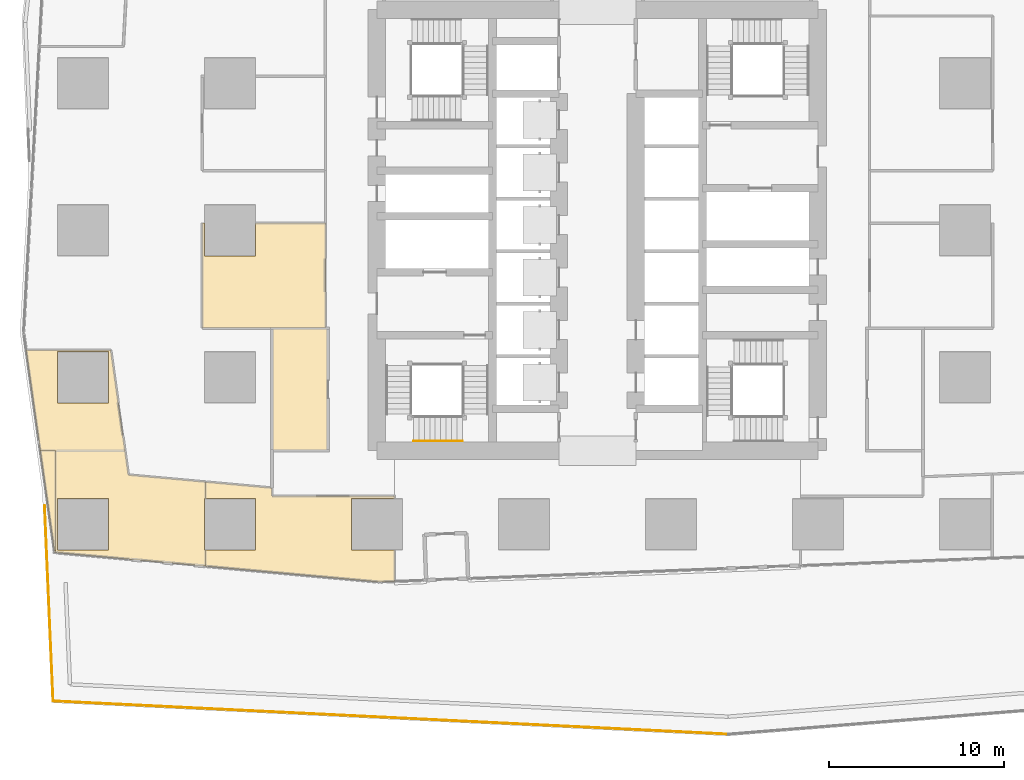
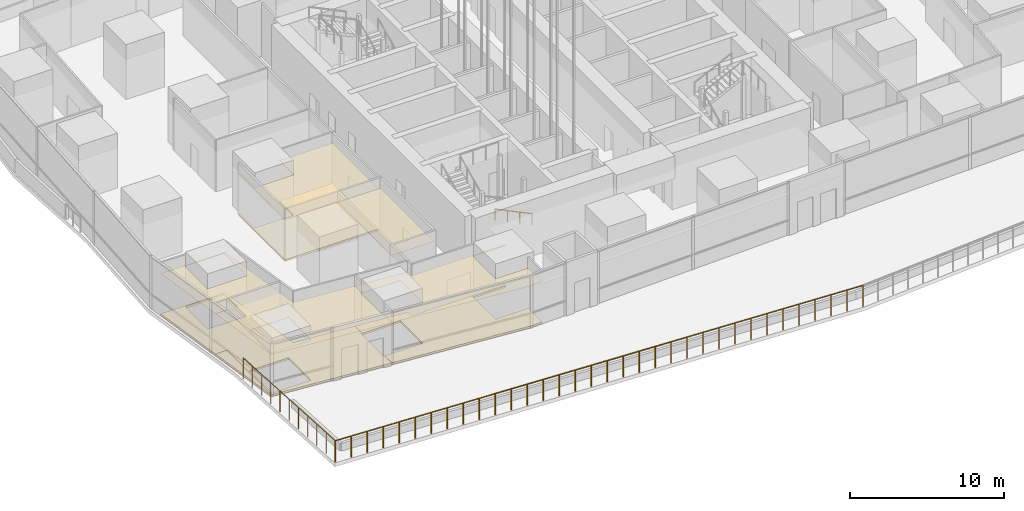
# One storey, part 23 of 44: 9 coverings, 3 railings.
"""IFC4 building model written with IfcOpenShell, lengths in metres."""

from ifc_helpers import new_model, si_unit, direction, frame, origin, origin_2d, place, context, subcontext, project, spatial, polyline, circle, outline, extrude, material, layer, layer_set, type_object, element, save


model = new_model("IFC4")

# Units and contexts
model_context = context("Model", 3, precision=1e-05, world=origin(), true_north=direction((0.0, 1.0)))
body_context = subcontext(model_context, "Body", "Model", "MODEL_VIEW")
ifc_project = project(units=[si_unit("LENGTHUNIT", "METRE"), si_unit("AREAUNIT", "SQUARE_METRE"), si_unit("VOLUMEUNIT", "CUBIC_METRE"), si_unit("PLANEANGLEUNIT", "RADIAN"), si_unit("MASSUNIT", "GRAM", prefix="KILO")], contexts=[model_context])

# Site, building, storey
site_placement = place(None, origin())
site = spatial("IfcSite", under=ifc_project, at=site_placement, CompositionType="ELEMENT")
building_placement = place(site_placement, origin())
building = spatial("IfcBuilding", under=site, at=building_placement, Name="Rekha Terrace Tower", CompositionType="ELEMENT")
storey_placement = place(building_placement, frame((0.0, 0.0, 90.800048828125)))
storey = spatial("IfcBuildingStorey", under=building, at=storey_placement, Name="L22", CompositionType="ELEMENT", Elevation=90.800048828125)

# Coverings
ifc_material_1 = material(Name="Mineral fibre tile in exposed grid", Category="finish")
ifc_layer_1 = layer(ifc_material_1, 0.02001953125)
ifc_layer_set_1 = layer_set([ifc_layer_1], Name="Mineral fibre tile in exposed grid")
covering_type_1 = type_object("IfcCoveringType", Name="CL1 600x1200 office grid ceiling", PredefinedType="CEILING", material=ifc_layer_set_1)
covering_1_placement = place(storey_placement, frame((0.0, 0.0, 3.329833984375)))
element("IfcCovering", 1, at=covering_1_placement, inside=storey, type_object=covering_type_1, Name="Ceiling L22-13", PredefinedType="CEILING", context=body_context, shape_type="SweptSolid", body=[
    extrude(outline(polyline([(10.998046875, 19.62109375), (10.802001953125, 21.010009765625), (9.990966796875, 26.761962890625), (5.14404296875, 26.761962890625), (5.955078125, 21.010009765625), (6.821044921875, 21.010009765625), (6.821044921875, 15.180908203125), (15.39794921875, 14.402099609375), (15.39794921875, 15.3349609375), (15.3349609375, 15.3349609375), (15.3349609375, 18.264892578125), (15.39794921875, 18.264892578125), (15.39794921875, 19.221923828125), (10.998046875, 19.62109375)]), holes=[polyline([(9.864990234375, 15.3349609375), (6.93505859375, 15.3349609375), (6.93505859375, 18.264892578125), (9.864990234375, 18.264892578125), (9.864990234375, 15.3349609375)]), polyline([(9.864990234375, 23.735107421875), (6.93505859375, 23.735107421875), (6.93505859375, 26.6650390625), (9.864990234375, 26.6650390625), (9.864990234375, 23.735107421875)])]), origin(), (0.0, 0.0, 1.0), 0.02001953125),
])
covering_2_placement = place(storey_placement, frame((0.0, 0.0, 3.329833984375)))
element("IfcCovering", 2, at=covering_2_placement, inside=storey, type_object=covering_type_1, Name="Ceiling L22-14", PredefinedType="CEILING", context=body_context, shape_type="SweptSolid", body=[
    extrude(outline(polyline([(15.39892578125, 14.402099609375), (25.324951171875, 13.5), (26.199951171875, 13.533935546875), (26.199951171875, 15.3349609375), (23.735107421875, 15.3349609375), (23.735107421875, 18.264892578125), (26.199951171875, 18.264892578125), (26.199951171875, 18.39990234375), (19.199951171875, 18.39990234375), (19.199951171875, 18.8759765625), (15.39892578125, 19.220947265625), (15.39892578125, 18.264892578125), (18.264892578125, 18.264892578125), (18.264892578125, 15.3349609375), (15.39892578125, 15.3349609375), (15.39892578125, 14.402099609375)])), origin(), (0.0, 0.0, 1.0), 0.02001953125),
])
covering_3_placement = place(storey_placement, frame((0.0, 0.0, 3.329833984375)))
element("IfcCovering", 3, at=covering_3_placement, inside=storey, type_object=covering_type_1, Name="Ceiling L22-15", PredefinedType="CEILING", context=body_context, shape_type="SweptSolid", body=[
    extrude(outline(polyline([(15.3349609375, 34.0), (15.215087890625, 34.0), (15.215087890625, 28.0), (22.25, 28.0), (22.25, 34.0), (18.264892578125, 34.0), (18.264892578125, 32.135009765625), (15.3349609375, 32.135009765625), (15.3349609375, 34.0)])), origin(), (0.0, 0.0, 1.0), 0.02001953125),
])
covering_4_placement = place(storey_placement, frame((0.0, 0.0, 3.329833984375)))
element("IfcCovering", 4, at=covering_4_placement, inside=storey, type_object=covering_type_1, Name="Ceiling L22-O2", PredefinedType="CEILING", context=body_context, shape_type="SweptSolid", body=[
    extrude(outline(polyline([(6.821044921875, 15.180908203125), (6.821044921875, 21.010009765625), (5.955078125, 21.010009765625), (6.77587890625, 15.18505859375), (6.821044921875, 15.180908203125)])), origin(), (0.0, 0.0, 1.0), 0.02001953125),
])
ifc_material_2 = material(Name="Fibre cement board", Category="finish")
ifc_layer_2 = layer(ifc_material_2, 0.014892578125)
ifc_layer_set_2 = layer_set([ifc_layer_2], Name="Fibre cement board")
covering_type_2 = type_object("IfcCoveringType", Name="CL2 moisture-resistant board ceiling", PredefinedType="CEILING", material=ifc_layer_set_2)
covering_5_placement = place(storey_placement, frame((0.0, 0.0, 3.3349609375)))
element("IfcCovering", 5, at=covering_5_placement, inside=storey, type_object=covering_type_2, Name="Ceiling L22-WCM", PredefinedType="CEILING", context=body_context, shape_type="SweptSolid", body=[
    extrude(outline(polyline([(22.39990234375, 28.0), (19.199951171875, 28.0), (19.199951171875, 21.0), (22.39990234375, 21.0), (22.39990234375, 28.0)])), origin(), (0.0, 0.0, 1.0), 0.014892578125),
])

# Railings
ifc_material_3 = material(Name="Stainless steel posts and laminated glass infill", Category="steel")
railing_type_1 = type_object("IfcRailingType", Name="GR4 terrace glass guard 1700", PredefinedType="GUARDRAIL", material=ifc_material_3)
railing_1_placement = place(storey_placement, frame((6.208251953125, 17.85107421875, 0.0)))
element("IfcRailing", 6, at=railing_1_placement, inside=storey, type_object=railing_type_1, Name="Terrace guard", PredefinedType="GUARDRAIL", context=body_context, shape_type="SweptSolid", body=[
    extrude(circle(Radius=0.02392578125, at=origin_2d()), frame((0.0, 0.0, 1.67578125), z_axis=(0.043683912848, -0.999045402251, 0.0), x_axis=(0.999045402251, 0.043683912848, 0.0)), (0.0, 0.0, 1.0), 11.16650390625),
    extrude(circle(Radius=0.02099609375, at=origin_2d()), origin(), (0.0, 0.0, 1.0), 1.65185546875),
    extrude(circle(Radius=0.02099609375, at=origin_2d()), frame((0.048828125, -1.115478515625, 0.0)), (0.0, 0.0, 1.0), 1.65185546875),
    extrude(circle(Radius=0.02099609375, at=origin_2d()), frame((0.09765625, -2.231201171875, 0.0)), (0.0, 0.0, 1.0), 1.65185546875),
    extrude(circle(Radius=0.02099609375, at=origin_2d()), frame((0.146240234375, -3.3466796875, 0.0)), (0.0, 0.0, 1.0), 1.65185546875),
    extrude(circle(Radius=0.02099609375, at=origin_2d()), frame((0.195068359375, -4.46240234375, 0.0)), (0.0, 0.0, 1.0), 1.65185546875),
    extrude(circle(Radius=0.02099609375, at=origin_2d()), frame((0.243896484375, -5.577880859375, 0.0)), (0.0, 0.0, 1.0), 1.65185546875),
    extrude(circle(Radius=0.02099609375, at=origin_2d()), frame((0.292724609375, -6.693359375, 0.0)), (0.0, 0.0, 1.0), 1.65185546875),
    extrude(circle(Radius=0.02099609375, at=origin_2d()), frame((0.341552734375, -7.80908203125, 0.0)), (0.0, 0.0, 1.0), 1.65185546875),
    extrude(circle(Radius=0.02099609375, at=origin_2d()), frame((0.39013671875, -8.924560546875, 0.0)), (0.0, 0.0, 1.0), 1.65185546875),
    extrude(circle(Radius=0.02099609375, at=origin_2d()), frame((0.43896484375, -10.040283203125, 0.0)), (0.0, 0.0, 1.0), 1.65185546875),
    extrude(circle(Radius=0.02099609375, at=origin_2d()), frame((0.48779296875, -11.15576171875, 0.0)), (0.0, 0.0, 1.0), 1.65185546875),
])
railing_2_placement = place(storey_placement, frame((6.696044921875, 6.6953125, 0.0)))
element("IfcRailing", 7, at=railing_2_placement, inside=storey, type_object=railing_type_1, Name="Terrace guard", PredefinedType="GUARDRAIL", context=body_context, shape_type="SweptSolid", body=[
    extrude(circle(Radius=0.02392578125, at=origin_2d()), frame((0.0, 0.0, 1.67578125), z_axis=(0.99879647317, -0.049046969144, 0.0), x_axis=(0.049046969144, 0.99879647317, 0.0)), (0.0, 0.0, 1.0), 38.63671875),
    extrude(circle(Radius=0.02099609375, at=origin_2d()), origin(), (0.0, 0.0, 1.0), 1.65185546875),
    extrude(circle(Radius=0.02099609375, at=origin_2d()), frame((1.16943359375, -0.057373046875, 0.0)), (0.0, 0.0, 1.0), 1.65185546875),
    extrude(circle(Radius=0.02099609375, at=origin_2d()), frame((2.3388671875, -0.11474609375, 0.0)), (0.0, 0.0, 1.0), 1.65185546875),
    extrude(circle(Radius=0.02099609375, at=origin_2d()), frame((3.50830078125, -0.17236328125, 0.0)), (0.0, 0.0, 1.0), 1.65185546875),
    extrude(circle(Radius=0.02099609375, at=origin_2d()), frame((4.677734375, -0.229736328125, 0.0)), (0.0, 0.0, 1.0), 1.65185546875),
    extrude(circle(Radius=0.02099609375, at=origin_2d()), frame((5.846923828125, -0.287109375, 0.0)), (0.0, 0.0, 1.0), 1.65185546875),
    extrude(circle(Radius=0.02099609375, at=origin_2d()), frame((7.016357421875, -0.344482421875, 0.0)), (0.0, 0.0, 1.0), 1.65185546875),
    extrude(circle(Radius=0.02099609375, at=origin_2d()), frame((8.185791015625, -0.40185546875, 0.0)), (0.0, 0.0, 1.0), 1.65185546875),
    extrude(circle(Radius=0.02099609375, at=origin_2d()), frame((9.355224609375, -0.45947265625, 0.0)), (0.0, 0.0, 1.0), 1.65185546875),
    extrude(circle(Radius=0.02099609375, at=origin_2d()), frame((10.524658203125, -0.516845703125, 0.0)), (0.0, 0.0, 1.0), 1.65185546875),
    extrude(circle(Radius=0.02099609375, at=origin_2d()), frame((11.694091796875, -0.57421875, 0.0)), (0.0, 0.0, 1.0), 1.65185546875),
    extrude(circle(Radius=0.02099609375, at=origin_2d()), frame((12.863525390625, -0.631591796875, 0.0)), (0.0, 0.0, 1.0), 1.65185546875),
    extrude(circle(Radius=0.02099609375, at=origin_2d()), frame((14.032958984375, -0.689208984375, 0.0)), (0.0, 0.0, 1.0), 1.65185546875),
    extrude(circle(Radius=0.02099609375, at=origin_2d()), frame((15.2021484375, -0.74658203125, 0.0)), (0.0, 0.0, 1.0), 1.65185546875),
    extrude(circle(Radius=0.02099609375, at=origin_2d()), frame((16.37158203125, -0.803955078125, 0.0)), (0.0, 0.0, 1.0), 1.65185546875),
    extrude(circle(Radius=0.02099609375, at=origin_2d()), frame((17.541015625, -0.861328125, 0.0)), (0.0, 0.0, 1.0), 1.65185546875),
    extrude(circle(Radius=0.02099609375, at=origin_2d()), frame((18.71044921875, -0.918701171875, 0.0)), (0.0, 0.0, 1.0), 1.65185546875),
    extrude(circle(Radius=0.02099609375, at=origin_2d()), frame((19.8798828125, -0.976318359375, 0.0)), (0.0, 0.0, 1.0), 1.65185546875),
    extrude(circle(Radius=0.02099609375, at=origin_2d()), frame((21.04931640625, -1.03369140625, 0.0)), (0.0, 0.0, 1.0), 1.65185546875),
    extrude(circle(Radius=0.02099609375, at=origin_2d()), frame((22.21875, -1.091064453125, 0.0)), (0.0, 0.0, 1.0), 1.65185546875),
    extrude(circle(Radius=0.02099609375, at=origin_2d()), frame((23.38818359375, -1.1484375, 0.0)), (0.0, 0.0, 1.0), 1.65185546875),
    extrude(circle(Radius=0.02099609375, at=origin_2d()), frame((24.557373046875, -1.205810546875, 0.0)), (0.0, 0.0, 1.0), 1.65185546875),
    extrude(circle(Radius=0.02099609375, at=origin_2d()), frame((25.726806640625, -1.263427734375, 0.0)), (0.0, 0.0, 1.0), 1.65185546875),
    extrude(circle(Radius=0.02099609375, at=origin_2d()), frame((26.896240234375, -1.32080078125, 0.0)), (0.0, 0.0, 1.0), 1.65185546875),
    extrude(circle(Radius=0.02099609375, at=origin_2d()), frame((28.065673828125, -1.378173828125, 0.0)), (0.0, 0.0, 1.0), 1.65185546875),
    extrude(circle(Radius=0.02099609375, at=origin_2d()), frame((29.235107421875, -1.435546875, 0.0)), (0.0, 0.0, 1.0), 1.65185546875),
    extrude(circle(Radius=0.02099609375, at=origin_2d()), frame((30.404541015625, -1.4931640625, 0.0)), (0.0, 0.0, 1.0), 1.65185546875),
    extrude(circle(Radius=0.02099609375, at=origin_2d()), frame((31.573974609375, -1.550537109375, 0.0)), (0.0, 0.0, 1.0), 1.65185546875),
    extrude(circle(Radius=0.02099609375, at=origin_2d()), frame((32.743408203125, -1.60791015625, 0.0)), (0.0, 0.0, 1.0), 1.65185546875),
    extrude(circle(Radius=0.02099609375, at=origin_2d()), frame((33.91259765625, -1.665283203125, 0.0)), (0.0, 0.0, 1.0), 1.65185546875),
    extrude(circle(Radius=0.02099609375, at=origin_2d()), frame((35.08203125, -1.72265625, 0.0)), (0.0, 0.0, 1.0), 1.65185546875),
    extrude(circle(Radius=0.02099609375, at=origin_2d()), frame((36.25146484375, -1.7802734375, 0.0)), (0.0, 0.0, 1.0), 1.65185546875),
    extrude(circle(Radius=0.02099609375, at=origin_2d()), frame((37.4208984375, -1.837646484375, 0.0)), (0.0, 0.0, 1.0), 1.65185546875),
    extrude(circle(Radius=0.02099609375, at=origin_2d()), frame((38.59033203125, -1.89501953125, 0.0)), (0.0, 0.0, 1.0), 1.65185546875),
])
ifc_material_4 = material(Name="Stainless steel tube", Category="steel")
railing_type_2 = type_object("IfcRailingType", Name="HR1 900 stair handrail", PredefinedType="HANDRAIL", material=ifc_material_4)
railing_3_placement = place(storey_placement, frame((30.074951171875, 21.56005859375, 1.64990234375)))
element("IfcRailing", 8, at=railing_3_placement, inside=storey, type_object=railing_type_2, Name="Handrail ST1 L22 flight 2", PredefinedType="HANDRAIL", context=body_context, shape_type="SweptSolid", body=[
    extrude(circle(Radius=0.02392578125, at=origin_2d()), frame((0.0, 0.0, 0.8759765625), z_axis=(-0.90014928908, 0.0, 0.43558151633), x_axis=(0.0, -1.0, 0.0)), (0.0, 0.0, 1.0), 3.099609375),
    extrude(circle(Radius=0.02099609375, at=origin_2d()), origin(), (0.0, 0.0, 1.0), 0.851806640625),
    extrude(circle(Radius=0.02099609375, at=origin_2d()), frame((-0.929931640625, 0.0, 0.449951171875)), (0.0, 0.0, 1.0), 0.851806640625),
    extrude(circle(Radius=0.02099609375, at=origin_2d()), frame((-1.860107421875, 0.0, 0.900146484375)), (0.0, 0.0, 1.0), 0.851806640625),
    extrude(circle(Radius=0.02099609375, at=origin_2d()), frame((-2.7900390625, 0.0, 1.35009765625)), (0.0, 0.0, 1.0), 0.851806640625),
])

# Coverings
ifc_material_5 = material(Name="Calcium sulphate panels on steel pedestals", Category="steel")
ifc_layer_3 = layer(ifc_material_5, 0.14990234375)
ifc_layer_set_3 = layer_set([ifc_layer_3], Name="Calcium sulphate panels on steel pedestals")
covering_type_3 = type_object("IfcCoveringType", Name="RF1 150 raised access floor", PredefinedType="FLOORING", material=ifc_layer_set_3)
covering_6_placement = place(storey_placement, origin())
element("IfcCovering", 9, at=covering_6_placement, inside=storey, type_object=covering_type_3, Name="Raised floor L22-13", PredefinedType="FLOORING", context=body_context, shape_type="SweptSolid", body=[
    extrude(outline(polyline([(10.998046875, 19.62109375), (10.802001953125, 21.010009765625), (9.990966796875, 26.761962890625), (5.14404296875, 26.761962890625), (5.955078125, 21.010009765625), (6.821044921875, 21.010009765625), (6.821044921875, 15.180908203125), (15.39794921875, 14.402099609375), (15.39794921875, 15.3349609375), (15.3349609375, 15.3349609375), (15.3349609375, 18.264892578125), (15.39794921875, 18.264892578125), (15.39794921875, 19.221923828125), (10.998046875, 19.62109375)]), holes=[polyline([(9.864990234375, 15.3349609375), (6.93505859375, 15.3349609375), (6.93505859375, 18.264892578125), (9.864990234375, 18.264892578125), (9.864990234375, 15.3349609375)]), polyline([(9.864990234375, 23.735107421875), (6.93505859375, 23.735107421875), (6.93505859375, 26.6650390625), (9.864990234375, 26.6650390625), (9.864990234375, 23.735107421875)])]), origin(), (0.0, 0.0, 1.0), 0.14990234375),
])
covering_7_placement = place(storey_placement, origin())
element("IfcCovering", 10, at=covering_7_placement, inside=storey, type_object=covering_type_3, Name="Raised floor L22-14", PredefinedType="FLOORING", context=body_context, shape_type="SweptSolid", body=[
    extrude(outline(polyline([(15.39892578125, 14.402099609375), (25.324951171875, 13.5), (26.199951171875, 13.533935546875), (26.199951171875, 15.3349609375), (23.735107421875, 15.3349609375), (23.735107421875, 18.264892578125), (26.199951171875, 18.264892578125), (26.199951171875, 18.39990234375), (19.199951171875, 18.39990234375), (19.199951171875, 18.8759765625), (15.39892578125, 19.220947265625), (15.39892578125, 18.264892578125), (18.264892578125, 18.264892578125), (18.264892578125, 15.3349609375), (15.39892578125, 15.3349609375), (15.39892578125, 14.402099609375)])), origin(), (0.0, 0.0, 1.0), 0.14990234375),
])
covering_8_placement = place(storey_placement, origin())
element("IfcCovering", 11, at=covering_8_placement, inside=storey, type_object=covering_type_3, Name="Raised floor L22-15", PredefinedType="FLOORING", context=body_context, shape_type="SweptSolid", body=[
    extrude(outline(polyline([(15.3349609375, 34.0), (15.215087890625, 34.0), (15.215087890625, 28.0), (22.25, 28.0), (22.25, 34.0), (18.264892578125, 34.0), (18.264892578125, 32.135009765625), (15.3349609375, 32.135009765625), (15.3349609375, 34.0)])), origin(), (0.0, 0.0, 1.0), 0.14990234375),
])
covering_9_placement = place(storey_placement, origin())
element("IfcCovering", 12, at=covering_9_placement, inside=storey, type_object=covering_type_3, Name="Raised floor L22-O2", PredefinedType="FLOORING", context=body_context, shape_type="SweptSolid", body=[
    extrude(outline(polyline([(6.821044921875, 15.180908203125), (6.821044921875, 21.010009765625), (5.955078125, 21.010009765625), (6.77587890625, 15.18505859375), (6.821044921875, 15.180908203125)])), origin(), (0.0, 0.0, 1.0), 0.14990234375),
])

save(model, "model.ifc")
